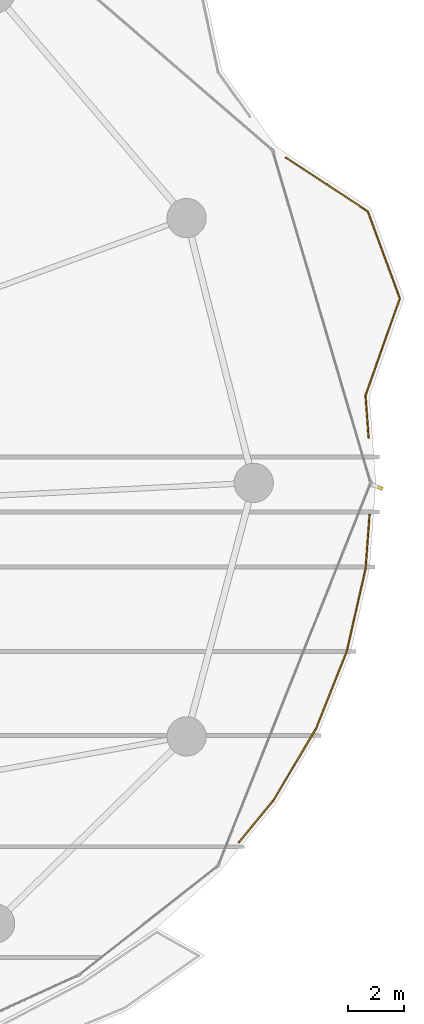
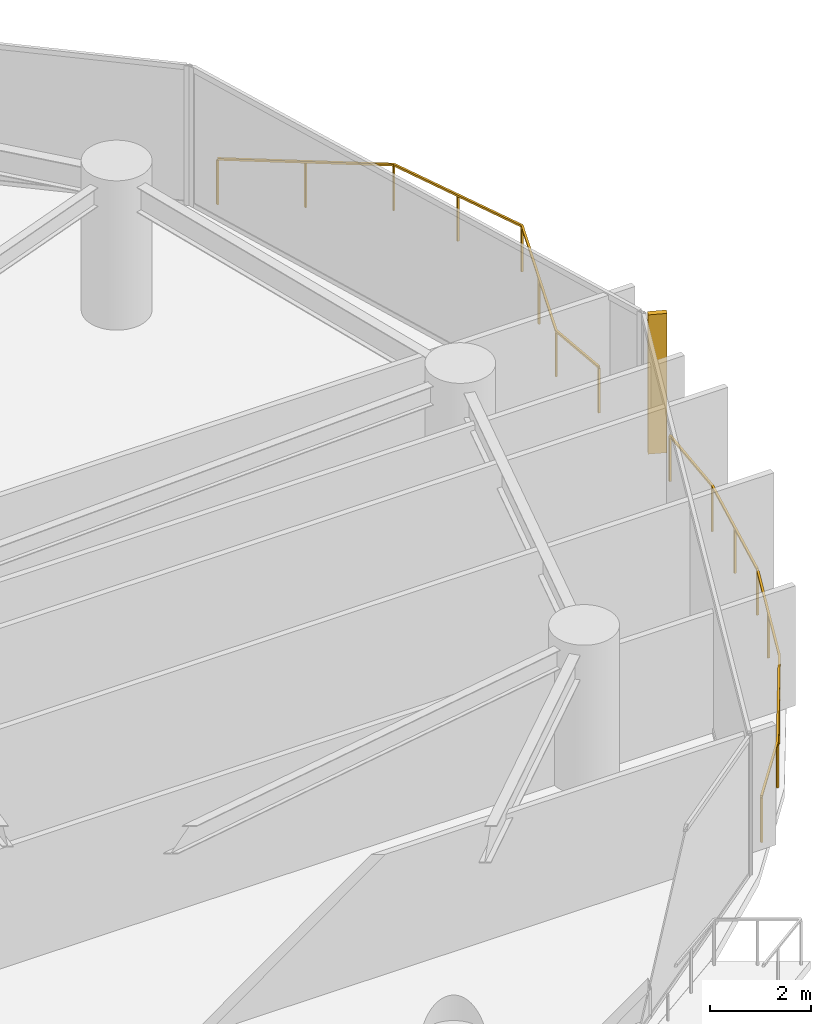
# One storey, part 33 of 33: 2 railings, 1 shading device.
"""IFC4 building model written with IfcOpenShell, lengths in metres."""

from ifc_helpers import new_model, si_unit, direction, frame, origin, origin_2d, place, context, subcontext, project, spatial, rectangle, extrude, material, type_object, element, save


model = new_model("IFC4")

# Units and contexts
model_context = context("Model", 3, precision=1e-05, world=origin(), true_north=direction((0.0, 1.0)))
body_context = subcontext(model_context, "Body", "Model", "MODEL_VIEW")
ifc_project = project(units=[si_unit("LENGTHUNIT", "METRE"), si_unit("AREAUNIT", "SQUARE_METRE"), si_unit("VOLUMEUNIT", "CUBIC_METRE"), si_unit("PLANEANGLEUNIT", "RADIAN"), si_unit("MASSUNIT", "GRAM", prefix="KILO")], contexts=[model_context])

# Site, building, storey
site_placement = place(None, origin())
site = spatial("IfcSite", under=ifc_project, at=site_placement, CompositionType="ELEMENT")
building_placement = place(site_placement, origin())
building = spatial("IfcBuilding", under=site, at=building_placement, Name="Kazevale Care Tower and Concert Hall", CompositionType="ELEMENT")
storey_placement = place(building_placement, frame((0.0, 0.0, 45.60009765625)))
storey = spatial("IfcBuildingStorey", under=building, at=storey_placement, Name="L11", CompositionType="ELEMENT", Elevation=45.60009765625)

# Railings
ifc_material_1 = material(Name="Anodised Bronze Aluminium and Laminated Glass", Category="aluminium")
railing_type = type_object("IfcRailingType", Name="Balcony and Terrace Balustrade 1120", PredefinedType="BALUSTRADE", material=ifc_material_1)
railing_1_placement = place(storey_placement, frame((80.575927734375, 36.864990234375, 0.0)))
element("IfcRailing", 1, at=railing_1_placement, inside=storey, type_object=railing_type, Name="rail:L11:perim:10", PredefinedType="BALUSTRADE", context=body_context, shape_type="SweptSolid", body=[
    extrude(rectangle(XDim=0.048095703125, YDim=0.048095703125, at=origin_2d()), frame((0.0, 0.0, 1.09619140625), z_axis=(-0.072929321708, -0.99733711153, 0.0), x_axis=(0.99733711153, -0.072929321708, 0.0)), (0.0, 0.0, 1.0), 1.918212890625),
    extrude(rectangle(XDim=0.048095703125, YDim=0.048095703125, at=origin_2d()), frame((-0.139892578125, -1.9130859375, 1.09619140625), z_axis=(-0.22169815306, -0.975115341347, 0.0), x_axis=(0.975115341347, -0.22169815306, 0.0)), (0.0, 0.0, 1.0), 3.012939453125),
    extrude(rectangle(XDim=0.048095703125, YDim=0.048095703125, at=origin_2d()), frame((-0.807861328125, -4.85107421875, 1.09619140625), z_axis=(-0.369500413357, -0.92923056586, 0.0), x_axis=(0.92923056586, -0.369500413357, 0.0)), (0.0, 0.0, 1.0), 2.985107421875),
    extrude(rectangle(XDim=0.048095703125, YDim=0.048095703125, at=origin_2d()), frame((-1.910888671875, -7.625, 1.09619140625), z_axis=(-0.510655847211, -0.859785209055, 0.0), x_axis=(0.859785209055, -0.510655847211, 0.0)), (0.0, 0.0, 1.0), 2.986572265625),
    extrude(rectangle(XDim=0.048095703125, YDim=0.048095703125, at=origin_2d()), frame((-3.43603515625, -10.19287109375, 1.09619140625), z_axis=(-0.636478085384, -0.771294785945, 0.0), x_axis=(0.771294785945, -0.636478085384, 0.0)), (0.0, 0.0, 1.0), 1.90869140625),
    extrude(rectangle(XDim=0.0419921875, YDim=0.0419921875, at=origin_2d()), origin(), (0.0, 0.0, 1.0), 1.072021484375),
    extrude(rectangle(XDim=0.0419921875, YDim=0.0419921875, at=origin_2d()), frame((-0.139892578125, -1.9130859375, 0.0)), (0.0, 0.0, 1.0), 1.072021484375),
    extrude(rectangle(XDim=0.0419921875, YDim=0.0419921875, at=origin_2d()), frame((-0.473876953125, -3.382080078125, 0.0)), (0.0, 0.0, 1.0), 1.072021484375),
    extrude(rectangle(XDim=0.0419921875, YDim=0.0419921875, at=origin_2d()), frame((-0.807861328125, -4.85107421875, 0.0)), (0.0, 0.0, 1.0), 1.072021484375),
    extrude(rectangle(XDim=0.0419921875, YDim=0.0419921875, at=origin_2d()), frame((-1.359375, -6.238037109375, 0.0)), (0.0, 0.0, 1.0), 1.072021484375),
    extrude(rectangle(XDim=0.0419921875, YDim=0.0419921875, at=origin_2d()), frame((-1.910888671875, -7.625, 0.0)), (0.0, 0.0, 1.0), 1.072021484375),
    extrude(rectangle(XDim=0.0419921875, YDim=0.0419921875, at=origin_2d()), frame((-2.67333984375, -8.908935546875, 0.0)), (0.0, 0.0, 1.0), 1.072021484375),
    extrude(rectangle(XDim=0.0419921875, YDim=0.0419921875, at=origin_2d()), frame((-3.43603515625, -10.19287109375, 0.0)), (0.0, 0.0, 1.0), 1.072021484375),
    extrude(rectangle(XDim=0.0419921875, YDim=0.0419921875, at=origin_2d()), frame((-4.65087890625, -11.6650390625, 0.0)), (0.0, 0.0, 1.0), 1.072021484375),
])
railing_2_placement = place(storey_placement, frame((77.60205078125, 49.580078125, 0.0)))
element("IfcRailing", 2, at=railing_2_placement, inside=storey, type_object=railing_type, Name="rail:L11:perim:11", PredefinedType="BALUSTRADE", context=body_context, shape_type="SweptSolid", body=[
    extrude(rectangle(XDim=0.048095703125, YDim=0.048095703125, at=origin_2d()), frame((0.0, 0.0, 1.09619140625), z_axis=(0.836080040141, -0.548607479422, 0.0), x_axis=(0.548607479422, 0.836080040141, 0.0)), (0.0, 0.0, 1.0), 3.4853515625),
    extrude(rectangle(XDim=0.048095703125, YDim=0.048095703125, at=origin_2d()), frame((2.9140625, -1.912109375, 1.09619140625), z_axis=(0.34544454401, -0.938439165324, 0.0), x_axis=(0.938439165324, 0.34544454401, 0.0)), (0.0, 0.0, 1.0), 3.296875),
    extrude(rectangle(XDim=0.048095703125, YDim=0.048095703125, at=origin_2d()), frame((4.052978515625, -5.006103515625, 1.09619140625), z_axis=(-0.332566381025, -0.94307984933, 0.0), x_axis=(0.94307984933, -0.332566381025, 0.0)), (0.0, 0.0, 1.0), 3.67431640625),
    extrude(rectangle(XDim=0.048095703125, YDim=0.048095703125, at=origin_2d()), frame((2.8310546875, -8.47119140625, 1.09619140625), z_axis=(0.072904890187, -0.997338897761, 0.0), x_axis=(0.997338897761, 0.072904890187, 0.0)), (0.0, 0.0, 1.0), 1.5068359375),
    extrude(rectangle(XDim=0.0419921875, YDim=0.0419921875, at=origin_2d()), origin(), (0.0, 0.0, 1.0), 1.072021484375),
    extrude(rectangle(XDim=0.0419921875, YDim=0.0419921875, at=origin_2d()), frame((1.45703125, -0.9560546875, 0.0)), (0.0, 0.0, 1.0), 1.072021484375),
    extrude(rectangle(XDim=0.0419921875, YDim=0.0419921875, at=origin_2d()), frame((2.9140625, -1.912109375, 0.0)), (0.0, 0.0, 1.0), 1.072021484375),
    extrude(rectangle(XDim=0.0419921875, YDim=0.0419921875, at=origin_2d()), frame((3.4833984375, -3.458984375, 0.0)), (0.0, 0.0, 1.0), 1.072021484375),
    extrude(rectangle(XDim=0.0419921875, YDim=0.0419921875, at=origin_2d()), frame((4.052978515625, -5.006103515625, 0.0)), (0.0, 0.0, 1.0), 1.072021484375),
    extrude(rectangle(XDim=0.0419921875, YDim=0.0419921875, at=origin_2d()), frame((3.44189453125, -6.73876953125, 0.0)), (0.0, 0.0, 1.0), 1.072021484375),
    extrude(rectangle(XDim=0.0419921875, YDim=0.0419921875, at=origin_2d()), frame((2.8310546875, -8.47119140625, 0.0)), (0.0, 0.0, 1.0), 1.072021484375),
    extrude(rectangle(XDim=0.0419921875, YDim=0.0419921875, at=origin_2d()), frame((2.94091796875, -9.97412109375, 0.0)), (0.0, 0.0, 1.0), 1.072021484375),
])

# Shading device
ifc_material_2 = material(Name="Honed Ochre Limestone", Category="masonry")
shading_device_type = type_object("IfcShadingDeviceType", Name="Vertical Honed Limestone Fin FIN-01", PredefinedType="USERDEFINED", material=ifc_material_2)
shading_device_placement = place(storey_placement, frame((80.861572265625, 37.860595703125, 0.0), z_axis=(0.0, 0.0, 1.0), x_axis=(0.928874213199, -0.370395324019, 0.0)))
element("IfcShadingDevice", 3, at=shading_device_placement, inside=storey, type_object=shading_device_type, Name="cw:L11:f01:fin", ObjectType="FIN", PredefinedType="USERDEFINED", context=body_context, shape_type="SweptSolid", body=[
    extrude(rectangle(XDim=0.3798828125, YDim=0.1201171875, at=origin_2d()), origin(), (0.0, 0.0, 1.0), 3.360107421875),
])

save(model, "model.ifc")
